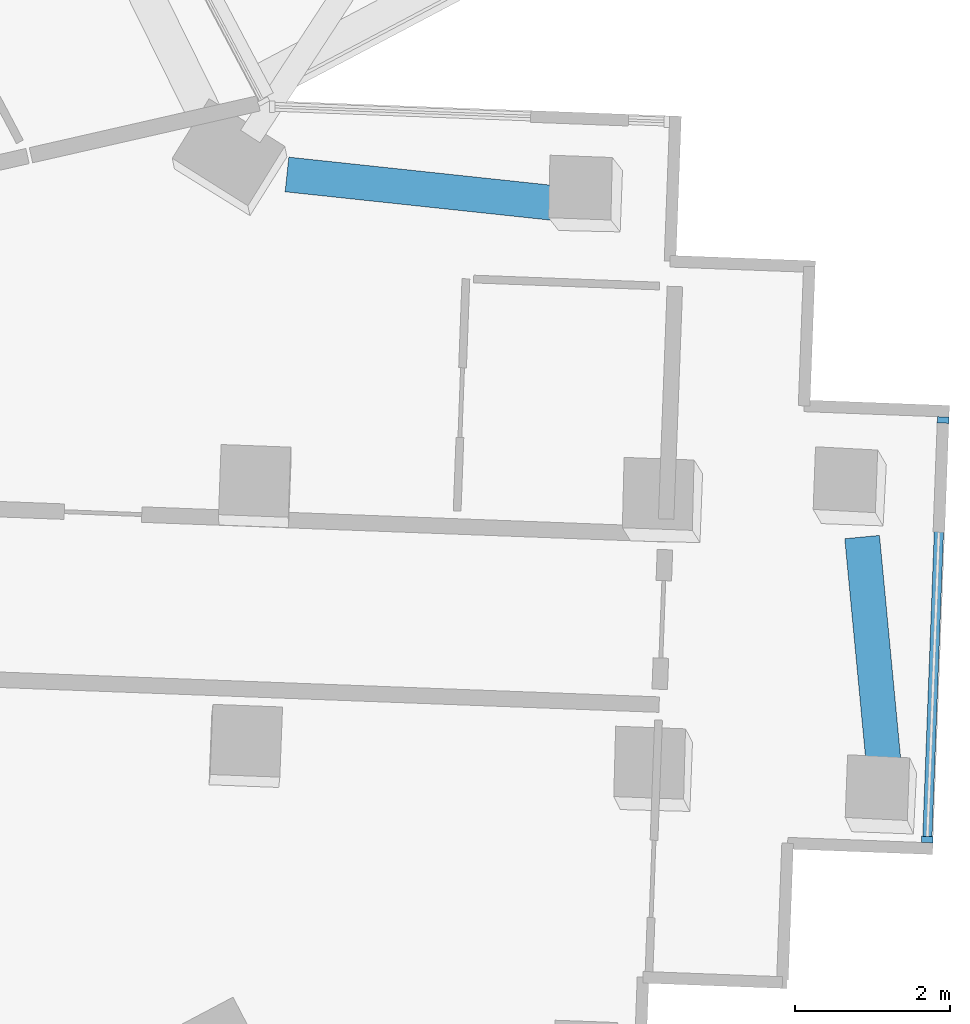
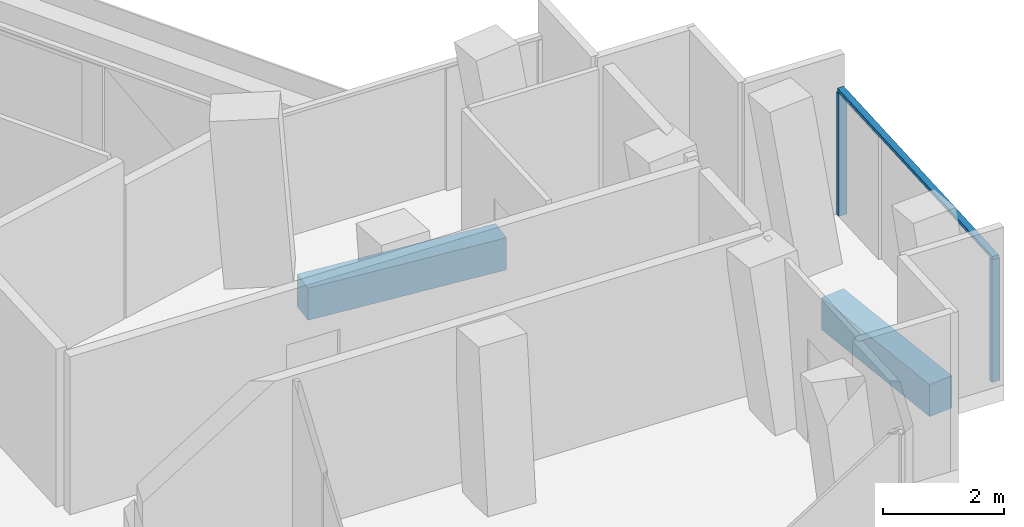
# One storey, part 6 of 23: 3 members, 2 beams, 1 element without a shape of its own.
"""IFC4 building model written with IfcOpenShell, lengths in metres."""

from ifc_helpers import new_model, si_unit, direction, frame, origin, origin_2d, place, context, subcontext, project, spatial, rectangle, extrude, material, layer, layer_set, material_profile, profile_set, type_object, element, aggregate, save


model = new_model("IFC4")

# Units and contexts
model_context = context("Model", 3, precision=1e-05, world=origin(), true_north=direction((0.0, 1.0)))
body_context = subcontext(model_context, "Body", "Model", "MODEL_VIEW")
ifc_project = project(units=[si_unit("LENGTHUNIT", "METRE"), si_unit("AREAUNIT", "SQUARE_METRE"), si_unit("VOLUMEUNIT", "CUBIC_METRE"), si_unit("PLANEANGLEUNIT", "RADIAN"), si_unit("MASSUNIT", "GRAM", prefix="KILO")], contexts=[model_context])

# Site, building, storey
site_placement = place(None, origin())
site = spatial("IfcSite", under=ifc_project, at=site_placement, CompositionType="ELEMENT")
building_placement = place(site_placement, origin())
building = spatial("IfcBuilding", under=site, at=building_placement, Name="Verdalira Terraces Hotel", CompositionType="ELEMENT")
storey_placement = place(building_placement, frame((0.0, 0.0, 147.0)))
storey = spatial("IfcBuildingStorey", under=building, at=storey_placement, Name="L35", CompositionType="ELEMENT", Elevation=147.0)

# Curtain wall, members
ifc_material_1 = material(Name="Clear glass", Category="glass")
ifc_layer = layer(ifc_material_1, 0.14990234375)
ifc_layer_set = layer_set([ifc_layer], Name="CW3 curtain wall")
curtain_wall_type = type_object("IfcCurtainWallType", Name="CW3 curtain wall", PredefinedType="NOTDEFINED", material=ifc_layer_set)
curtain_wall_placement = place(storey_placement, origin())
curtain_wall = element("IfcCurtainWall", 1, at=curtain_wall_placement, inside=storey, type_object=curtain_wall_type, Name="CW3 curtain wall L35 edge 33", PredefinedType="NOTDEFINED")
ifc_material_2 = material(Name="Terracotta frame", Category="masonry")
ifc_material_profile_1 = material_profile(ifc_material_2, rectangle(XDim=0.080078, YDim=0.149902, at=origin_2d()), Name="MU 80x150")
ifc_profile_set_1 = profile_set([ifc_material_profile_1], Name="Terracotta frame")
member_type_1 = type_object("IfcMemberType", Name="CW3 mullion 80x150", PredefinedType="MULLION", material=ifc_profile_set_1)
member_1_placement = place(storey_placement, frame((32.974854, -3.955566, 0.0), z_axis=(0.0, 0.0, 1.0), x_axis=(0.037690183, 0.999289473, 0.0)))
member_1 = element("IfcMember", 2, at=member_1_placement, type_object=member_type_1, Name="CW3 mullion", PredefinedType="MULLION", context=body_context, shape_type="SweptSolid", body=[
    extrude(rectangle(XDim=0.080078, YDim=0.149902, at=origin_2d()), origin(), (0.0, 0.0, 1.0), 2.475098),
])
member_2_placement = place(storey_placement, frame((33.179199, 1.460449, 0.0), z_axis=(0.0, 0.0, 1.0), x_axis=(0.037690183, 0.999289473, 0.0)))
member_2 = element("IfcMember", 3, at=member_2_placement, type_object=member_type_1, Name="CW3 mullion", PredefinedType="MULLION", context=body_context, shape_type="SweptSolid", body=[
    extrude(rectangle(XDim=0.080078, YDim=0.149902, at=origin_2d()), origin(), (0.0, 0.0, 1.0), 2.475098),
])
ifc_material_3 = material(Name="Terracotta frame", Category="masonry")
ifc_material_profile_2 = material_profile(ifc_material_3, rectangle(XDim=0.120117, YDim=0.064941, at=origin_2d()), Name="TR 65x120")
ifc_profile_set_2 = profile_set([ifc_material_profile_2], Name="Terracotta frame")
member_type_2 = type_object("IfcMemberType", Name="CW3 transom 65x120", PredefinedType="USERDEFINED", material=ifc_profile_set_2)
member_3_placement = place(storey_placement, frame((32.973389, -3.995605, 2.507568), z_axis=(0.037686429, 0.999289614, 0.0), x_axis=(-0.999289614, 0.037686429, 0.0)))
member_3 = element("IfcMember", 4, at=member_3_placement, type_object=member_type_2, Name="CW3 transom", ObjectType="TRANSOM", PredefinedType="USERDEFINED", context=body_context, shape_type="SweptSolid", body=[
    extrude(rectangle(XDim=0.120117, YDim=0.064941, at=origin_2d()), origin(), (0.0, 0.0, 1.0), 5.5),
])
aggregate(curtain_wall, [member_1, member_2, member_3])

# Beams
ifc_material_4 = material(Name="Concrete C50", Category="concrete")
ifc_material_profile_3 = material_profile(ifc_material_4, rectangle(XDim=0.449951, YDim=0.649902, at=origin_2d()), Name="RC 450X650")
ifc_profile_set_3 = profile_set([ifc_material_profile_3], Name="Concrete C50")
beam_type = type_object("IfcBeamType", Name="Spandrel beam RC 450X650 C50", PredefinedType="SPANDREL", material=ifc_profile_set_3)
beam_1_placement = place(storey_placement, frame((32.425781, -3.123291, -0.63501), z_axis=(-0.094678449, 0.995507906, 0.0), x_axis=(-0.995507906, -0.094678449, 0.0)))
element("IfcBeam", 5, at=beam_1_placement, inside=storey, type_object=beam_type, Name="Spandrel beam B16", PredefinedType="SPANDREL", context=body_context, shape_type="SweptSolid", body=[
    extrude(rectangle(XDim=0.449951, YDim=0.649902, at=origin_2d()), origin(), (0.0, 0.0, 1.0), 3.08667),
])
beam_2_placement = place(storey_placement, frame((28.284668, 4.248291, -0.63501), z_axis=(-0.994340953, 0.106235909, 0.0), x_axis=(-0.106235909, -0.994340953, 0.0)))
element("IfcBeam", 6, at=beam_2_placement, inside=storey, type_object=beam_type, Name="Spandrel beam B17", PredefinedType="SPANDREL", context=body_context, shape_type="SweptSolid", body=[
    extrude(rectangle(XDim=0.449951, YDim=0.649902, at=origin_2d()), origin(), (0.0, 0.0, 1.0), 3.596436),
])

save(model, "model.ifc")
